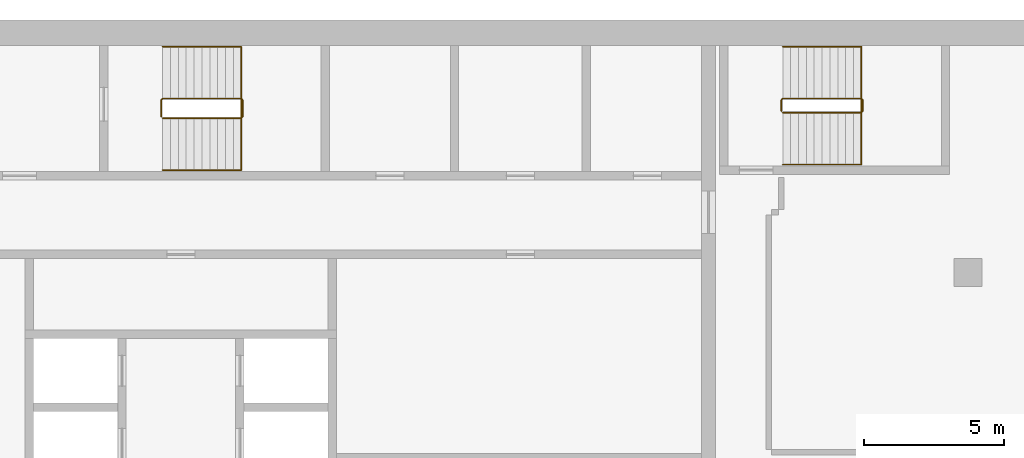
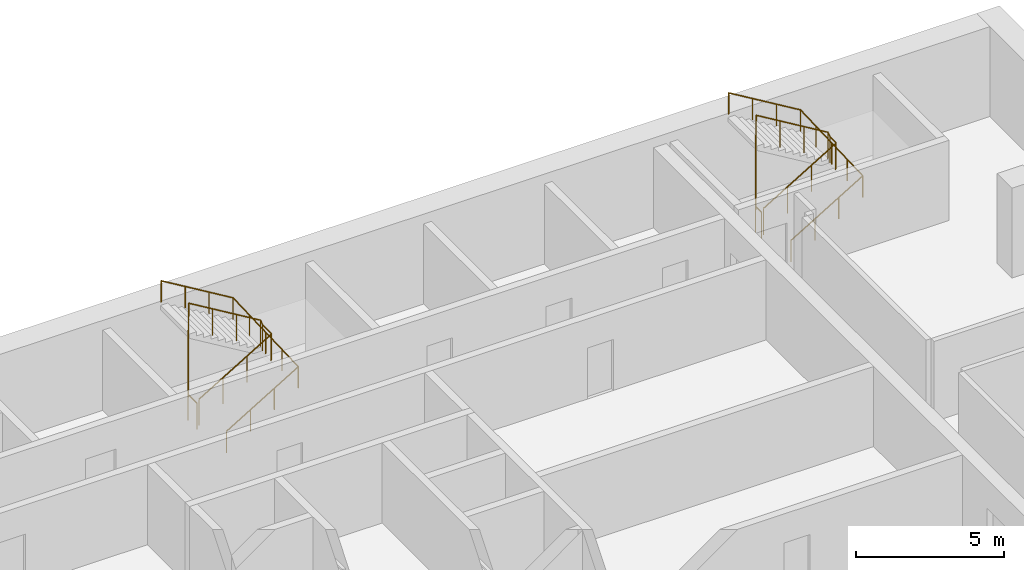
# One storey, part 16 of 16: 4 railings.
"""IFC4 building model written with IfcOpenShell, lengths in metres."""

from ifc_helpers import new_model, si_unit, direction, frame, origin, origin_2d, place, context, subcontext, project, spatial, circle, extrude, material, type_object, element, save


model = new_model("IFC4")

# Units and contexts
model_context = context("Model", 3, precision=1e-05, world=origin(), true_north=direction((0.0, 1.0)))
body_context = subcontext(model_context, "Body", "Model", "MODEL_VIEW")
ifc_project = project(units=[si_unit("LENGTHUNIT", "METRE"), si_unit("AREAUNIT", "SQUARE_METRE"), si_unit("VOLUMEUNIT", "CUBIC_METRE"), si_unit("PLANEANGLEUNIT", "RADIAN"), si_unit("MASSUNIT", "GRAM", prefix="KILO")], contexts=[model_context])

# Site, building, storey
site_placement = place(None, origin())
site = spatial("IfcSite", under=ifc_project, at=site_placement, CompositionType="ELEMENT")
building_placement = place(site_placement, origin())
building = spatial("IfcBuilding", under=site, at=building_placement, Name="Hunhe Ridgeline Campus", CompositionType="ELEMENT")
storey_placement = place(building_placement, frame((0.0, 0.0, 261.39990234375)))
storey = spatial("IfcBuildingStorey", under=building, at=storey_placement, Name="L67", CompositionType="ELEMENT", Elevation=261.39990234375)

# Railings
ifc_material_1 = material(Name="Stainless steel balustrade", Category="steel")
railing_type_1 = type_object("IfcRailingType", Name="Stair guard 1100 stainless", PredefinedType="GUARDRAIL", material=ifc_material_1)
railing_1_placement = place(storey_placement, frame((16.300048828125, 95.5, 0.168212890625)))
element("IfcRailing", 1, at=railing_1_placement, inside=storey, type_object=railing_type_1, Name="L67 stair S1 guard", PredefinedType="GUARDRAIL", context=body_context, shape_type="SweptSolid", body=[
    extrude(circle(Radius=0.02392578125, at=origin_2d()), frame((0.0, 0.0, 1.076171875), z_axis=(0.857242210791, 0.0, 0.514913383045), x_axis=(0.0, 1.0, 0.0)), (0.0, 0.0, 1.0), 3.266357421875),
    extrude(circle(Radius=0.02392578125, at=origin_2d()), frame((2.800048828125, 0.0, 2.7578125), z_axis=(0.705375805398, 0.708833529934, 0.0), x_axis=(-0.708833529934, 0.705375805398, 0.0)), (0.0, 0.0, 1.0), 0.070556640625),
    extrude(circle(Radius=0.02392578125, at=origin_2d()), frame((2.849853515625, 0.050048828125, 2.7578125), z_axis=(0.0, 1.0, 0.0), x_axis=(-1.0, 0.0, 0.0)), (0.0, 0.0, 1.0), 0.599853515625),
    extrude(circle(Radius=0.02392578125, at=origin_2d()), frame((2.849853515625, 0.64990234375, 2.7578125), z_axis=(-0.273006030465, 0.27434429532, 0.922064485248), x_axis=(-0.708833529934, -0.705375805398, 0.0)), (0.0, 0.0, 1.0), 0.182373046875),
    extrude(circle(Radius=0.02392578125, at=origin_2d()), frame((2.800048828125, 0.699951171875, 2.92626953125), z_axis=(-0.857242210791, 0.0, 0.514913383045), x_axis=(0.0, -1.0, 0.0)), (0.0, 0.0, 1.0), 3.266357421875),
    extrude(circle(Radius=0.02392578125, at=origin_2d()), frame((0.0, 0.699951171875, 4.60791015625), z_axis=(-0.013523522368, -0.013523522368, -0.999817097616), x_axis=(0.707106781187, -0.707106781187, 0.0)), (0.0, 0.0, 1.0), 3.700927734375),
    extrude(circle(Radius=0.02392578125, at=origin_2d()), frame((-0.050048828125, 0.64990234375, 0.90771484375), z_axis=(0.0, -1.0, 0.0), x_axis=(1.0, 0.0, 0.0)), (0.0, 0.0, 1.0), 0.599853515625),
    extrude(circle(Radius=0.02099609375, at=origin_2d()), origin(), (0.0, 0.0, 1.0), 1.052001953125),
    extrude(circle(Radius=0.02099609375, at=origin_2d()), frame((0.933349609375, 0.0, 0.560546875)), (0.0, 0.0, 1.0), 1.052001953125),
    extrude(circle(Radius=0.02099609375, at=origin_2d()), frame((1.86669921875, 0.0, 1.121337890625)), (0.0, 0.0, 1.0), 1.052001953125),
    extrude(circle(Radius=0.02099609375, at=origin_2d()), frame((2.800048828125, 0.0, 1.681884765625)), (0.0, 0.0, 1.0), 1.052001953125),
    extrude(circle(Radius=0.02099609375, at=origin_2d()), frame((2.849853515625, 0.050048828125, 1.681884765625)), (0.0, 0.0, 1.0), 1.052001953125),
    extrude(circle(Radius=0.02099609375, at=origin_2d()), frame((2.849853515625, 0.64990234375, 1.681884765625)), (0.0, 0.0, 1.0), 1.052001953125),
    extrude(circle(Radius=0.02099609375, at=origin_2d()), frame((2.800048828125, 0.699951171875, 1.85009765625)), (0.0, 0.0, 1.0), 1.052001953125),
    extrude(circle(Radius=0.02099609375, at=origin_2d()), frame((1.86669921875, 0.699951171875, 2.41064453125)), (0.0, 0.0, 1.0), 1.052001953125),
    extrude(circle(Radius=0.02099609375, at=origin_2d()), frame((0.933349609375, 0.699951171875, 2.971435546875)), (0.0, 0.0, 1.0), 1.052001953125),
    extrude(circle(Radius=0.02099609375, at=origin_2d()), frame((0.0, 0.699951171875, 3.531982421875)), (0.0, 0.0, 1.0), 1.052001953125),
    extrude(circle(Radius=0.02099609375, at=origin_2d()), frame((-0.012451171875, 0.6875, 2.60693359375)), (0.0, 0.0, 1.0), 1.052001953125),
    extrude(circle(Radius=0.02099609375, at=origin_2d()), frame((-0.02490234375, 0.6748046875, 1.681884765625)), (0.0, 0.0, 1.0), 1.052001953125),
    extrude(circle(Radius=0.02099609375, at=origin_2d()), frame((-0.03759765625, 0.662353515625, 0.7568359375)), (0.0, 0.0, 1.0), 1.052001953125),
    extrude(circle(Radius=0.02099609375, at=origin_2d()), frame((-0.050048828125, 0.64990234375, -0.168212890625)), (0.0, 0.0, 1.0), 1.052001953125),
    extrude(circle(Radius=0.02099609375, at=origin_2d()), frame((-0.050048828125, 0.050048828125, -0.168212890625)), (0.0, 0.0, 1.0), 1.052001953125),
])
railing_2_placement = place(storey_placement, frame((38.39990234375, 95.699951171875, 0.168212890625)))
element("IfcRailing", 2, at=railing_2_placement, inside=storey, type_object=railing_type_1, Name="L67 stair E1 guard", PredefinedType="GUARDRAIL", context=body_context, shape_type="SweptSolid", body=[
    extrude(circle(Radius=0.02392578125, at=origin_2d()), frame((0.0, 0.0, 1.076171875), z_axis=(0.857242210791, 0.0, 0.514913383045), x_axis=(0.0, 1.0, 0.0)), (0.0, 0.0, 1.0), 3.266357421875),
    extrude(circle(Radius=0.02392578125, at=origin_2d()), frame((2.800048828125, 0.0, 2.7578125), z_axis=(0.707106781187, 0.707106781187, 0.0), x_axis=(-0.707106781187, 0.707106781187, 0.0)), (0.0, 0.0, 1.0), 0.07080078125),
    extrude(circle(Radius=0.02392578125, at=origin_2d()), frame((2.85009765625, 0.050048828125, 2.7578125), z_axis=(0.0, 1.0, 0.0), x_axis=(-1.0, 0.0, 0.0)), (0.0, 0.0, 1.0), 0.39990234375),
    extrude(circle(Radius=0.02392578125, at=origin_2d()), frame((2.85009765625, 0.449951171875, 2.7578125), z_axis=(-0.274243871929, 0.274243871929, 0.92172696468), x_axis=(-0.707106781187, -0.707106781187, 0.0)), (0.0, 0.0, 1.0), 0.1826171875),
    extrude(circle(Radius=0.02392578125, at=origin_2d()), frame((2.800048828125, 0.5, 2.92626953125), z_axis=(-0.857242210791, 0.0, 0.514913383045), x_axis=(0.0, -1.0, 0.0)), (0.0, 0.0, 1.0), 3.266357421875),
    extrude(circle(Radius=0.02392578125, at=origin_2d()), frame((0.0, 0.5, 4.60791015625), z_axis=(-0.013457565943, -0.013523534403, -0.999817987404), x_axis=(0.708833529934, -0.705375805398, 0.0)), (0.0, 0.0, 1.0), 3.700927734375),
    extrude(circle(Radius=0.02392578125, at=origin_2d()), frame((-0.0498046875, 0.449951171875, 0.90771484375), z_axis=(0.0, -1.0, 0.0), x_axis=(1.0, 0.0, 0.0)), (0.0, 0.0, 1.0), 0.39990234375),
    extrude(circle(Radius=0.02099609375, at=origin_2d()), origin(), (0.0, 0.0, 1.0), 1.052001953125),
    extrude(circle(Radius=0.02099609375, at=origin_2d()), frame((0.933349609375, 0.0, 0.560546875)), (0.0, 0.0, 1.0), 1.052001953125),
    extrude(circle(Radius=0.02099609375, at=origin_2d()), frame((1.86669921875, 0.0, 1.121337890625)), (0.0, 0.0, 1.0), 1.052001953125),
    extrude(circle(Radius=0.02099609375, at=origin_2d()), frame((2.800048828125, 0.0, 1.681884765625)), (0.0, 0.0, 1.0), 1.052001953125),
    extrude(circle(Radius=0.02099609375, at=origin_2d()), frame((2.85009765625, 0.050048828125, 1.681884765625)), (0.0, 0.0, 1.0), 1.052001953125),
    extrude(circle(Radius=0.02099609375, at=origin_2d()), frame((2.85009765625, 0.449951171875, 1.681884765625)), (0.0, 0.0, 1.0), 1.052001953125),
    extrude(circle(Radius=0.02099609375, at=origin_2d()), frame((2.800048828125, 0.5, 1.85009765625)), (0.0, 0.0, 1.0), 1.052001953125),
    extrude(circle(Radius=0.02099609375, at=origin_2d()), frame((1.86669921875, 0.5, 2.41064453125)), (0.0, 0.0, 1.0), 1.052001953125),
    extrude(circle(Radius=0.02099609375, at=origin_2d()), frame((0.933349609375, 0.5, 2.971435546875)), (0.0, 0.0, 1.0), 1.052001953125),
    extrude(circle(Radius=0.02099609375, at=origin_2d()), frame((0.0, 0.5, 3.531982421875)), (0.0, 0.0, 1.0), 1.052001953125),
    extrude(circle(Radius=0.02099609375, at=origin_2d()), frame((-0.012451171875, 0.487548828125, 2.60693359375)), (0.0, 0.0, 1.0), 1.052001953125),
    extrude(circle(Radius=0.02099609375, at=origin_2d()), frame((-0.02490234375, 0.47509765625, 1.681884765625)), (0.0, 0.0, 1.0), 1.052001953125),
    extrude(circle(Radius=0.02099609375, at=origin_2d()), frame((-0.037353515625, 0.46240234375, 0.7568359375)), (0.0, 0.0, 1.0), 1.052001953125),
    extrude(circle(Radius=0.02099609375, at=origin_2d()), frame((-0.0498046875, 0.449951171875, -0.168212890625)), (0.0, 0.0, 1.0), 1.052001953125),
    extrude(circle(Radius=0.02099609375, at=origin_2d()), frame((-0.0498046875, 0.050048828125, -0.168212890625)), (0.0, 0.0, 1.0), 1.052001953125),
])
ifc_material_2 = material(Name="Stainless steel handrail", Category="steel")
railing_type_2 = type_object("IfcRailingType", Name="Stair handrail 900 stainless", PredefinedType="HANDRAIL", material=ifc_material_2)
railing_3_placement = place(storey_placement, frame((16.300048828125, 93.64990234375, 0.168212890625)))
element("IfcRailing", 3, at=railing_3_placement, inside=storey, type_object=railing_type_2, Name="L67 stair S1 handrail", PredefinedType="HANDRAIL", context=body_context, shape_type="SweptSolid", body=[
    extrude(circle(Radius=0.02392578125, at=origin_2d()), frame((0.0, 0.0, 0.8759765625), z_axis=(0.857242210791, 0.0, 0.514913383045), x_axis=(0.0, 1.0, 0.0)), (0.0, 0.0, 1.0), 3.266357421875),
    extrude(circle(Radius=0.02392578125, at=origin_2d()), frame((2.800048828125, 0.0, 2.5576171875), z_axis=(0.0, 0.999270074432, 0.038201025428), x_axis=(-1.0, 0.0, 0.0)), (0.0, 0.0, 1.0), 4.4033203125),
    extrude(circle(Radius=0.02392578125, at=origin_2d()), frame((2.800048828125, 4.400146484375, 2.72607421875), z_axis=(-0.857242210791, 0.0, 0.514913383045), x_axis=(0.0, -1.0, 0.0)), (0.0, 0.0, 1.0), 3.266357421875),
    extrude(circle(Radius=0.02099609375, at=origin_2d()), origin(), (0.0, 0.0, 1.0), 0.851806640625),
    extrude(circle(Radius=0.02099609375, at=origin_2d()), frame((0.933349609375, 0.0, 0.560546875)), (0.0, 0.0, 1.0), 0.851806640625),
    extrude(circle(Radius=0.02099609375, at=origin_2d()), frame((1.86669921875, 0.0, 1.121337890625)), (0.0, 0.0, 1.0), 0.851806640625),
    extrude(circle(Radius=0.02099609375, at=origin_2d()), frame((2.800048828125, 0.0, 1.681884765625)), (0.0, 0.0, 1.0), 0.851806640625),
    extrude(circle(Radius=0.02099609375, at=origin_2d()), frame((2.800048828125, 1.10009765625, 1.723876953125)), (0.0, 0.0, 1.0), 0.851806640625),
    extrude(circle(Radius=0.02099609375, at=origin_2d()), frame((2.800048828125, 2.2001953125, 1.76611328125)), (0.0, 0.0, 1.0), 0.851806640625),
    extrude(circle(Radius=0.02099609375, at=origin_2d()), frame((2.800048828125, 3.300048828125, 1.80810546875)), (0.0, 0.0, 1.0), 0.851806640625),
    extrude(circle(Radius=0.02099609375, at=origin_2d()), frame((2.800048828125, 4.400146484375, 1.85009765625)), (0.0, 0.0, 1.0), 0.851806640625),
    extrude(circle(Radius=0.02099609375, at=origin_2d()), frame((1.86669921875, 4.400146484375, 2.41064453125)), (0.0, 0.0, 1.0), 0.851806640625),
    extrude(circle(Radius=0.02099609375, at=origin_2d()), frame((0.933349609375, 4.400146484375, 2.971435546875)), (0.0, 0.0, 1.0), 0.851806640625),
    extrude(circle(Radius=0.02099609375, at=origin_2d()), frame((0.0, 4.400146484375, 3.531982421875)), (0.0, 0.0, 1.0), 0.851806640625),
])
railing_4_placement = place(storey_placement, frame((38.39990234375, 93.85009765625, 0.168212890625)))
element("IfcRailing", 4, at=railing_4_placement, inside=storey, type_object=railing_type_2, Name="L67 stair E1 handrail", PredefinedType="HANDRAIL", context=body_context, shape_type="SweptSolid", body=[
    extrude(circle(Radius=0.02392578125, at=origin_2d()), frame((0.0, 0.0, 0.8759765625), z_axis=(0.857242210791, 0.0, 0.514913383045), x_axis=(0.0, 1.0, 0.0)), (0.0, 0.0, 1.0), 3.266357421875),
    extrude(circle(Radius=0.02392578125, at=origin_2d()), frame((2.800048828125, 0.0, 2.5576171875), z_axis=(0.0, 0.999198916169, 0.040019069537), x_axis=(-1.0, 0.0, 0.0)), (0.0, 0.0, 1.0), 4.203369140625),
    extrude(circle(Radius=0.02392578125, at=origin_2d()), frame((2.800048828125, 4.199951171875, 2.72607421875), z_axis=(-0.857242210791, 0.0, 0.514913383045), x_axis=(0.0, -1.0, 0.0)), (0.0, 0.0, 1.0), 3.266357421875),
    extrude(circle(Radius=0.02099609375, at=origin_2d()), origin(), (0.0, 0.0, 1.0), 0.851806640625),
    extrude(circle(Radius=0.02099609375, at=origin_2d()), frame((0.933349609375, 0.0, 0.560546875)), (0.0, 0.0, 1.0), 0.851806640625),
    extrude(circle(Radius=0.02099609375, at=origin_2d()), frame((1.86669921875, 0.0, 1.121337890625)), (0.0, 0.0, 1.0), 0.851806640625),
    extrude(circle(Radius=0.02099609375, at=origin_2d()), frame((2.800048828125, 0.0, 1.681884765625)), (0.0, 0.0, 1.0), 0.851806640625),
    extrude(circle(Radius=0.02099609375, at=origin_2d()), frame((2.800048828125, 1.050048828125, 1.723876953125)), (0.0, 0.0, 1.0), 0.851806640625),
    extrude(circle(Radius=0.02099609375, at=origin_2d()), frame((2.800048828125, 2.10009765625, 1.76611328125)), (0.0, 0.0, 1.0), 0.851806640625),
    extrude(circle(Radius=0.02099609375, at=origin_2d()), frame((2.800048828125, 3.14990234375, 1.80810546875)), (0.0, 0.0, 1.0), 0.851806640625),
    extrude(circle(Radius=0.02099609375, at=origin_2d()), frame((2.800048828125, 4.199951171875, 1.85009765625)), (0.0, 0.0, 1.0), 0.851806640625),
    extrude(circle(Radius=0.02099609375, at=origin_2d()), frame((1.86669921875, 4.199951171875, 2.41064453125)), (0.0, 0.0, 1.0), 0.851806640625),
    extrude(circle(Radius=0.02099609375, at=origin_2d()), frame((0.933349609375, 4.199951171875, 2.971435546875)), (0.0, 0.0, 1.0), 0.851806640625),
    extrude(circle(Radius=0.02099609375, at=origin_2d()), frame((0.0, 4.199951171875, 3.531982421875)), (0.0, 0.0, 1.0), 0.851806640625),
])

save(model, "model.ifc")
